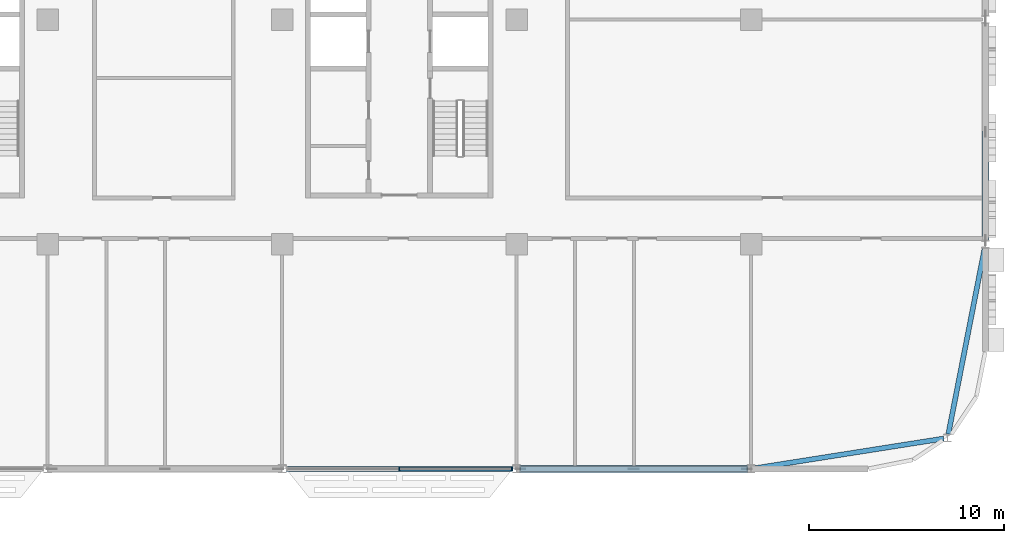
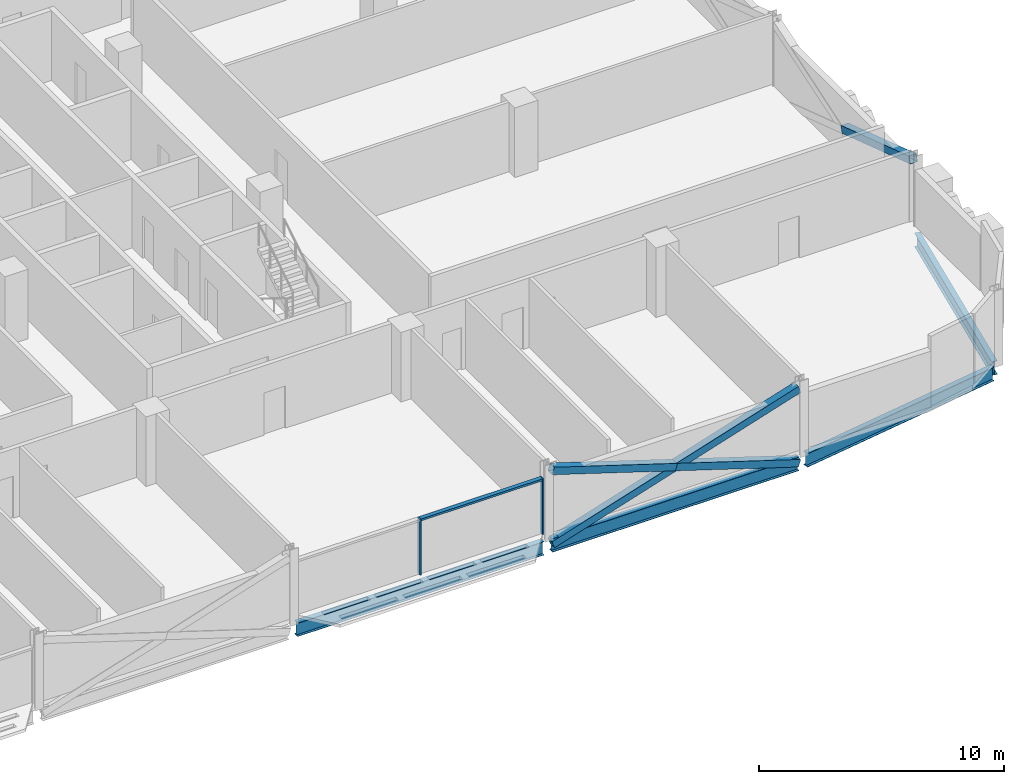
# One storey, part 9 of 30: 7 members, 4 beams, 1 element without a shape of its own.
"""IFC4 building model written with IfcOpenShell, lengths in metres."""

from ifc_helpers import new_model, si_unit, direction, frame, origin, origin_2d, place, context, subcontext, project, spatial, rectangle, hollow_rectangle, i_section, extrude, material, material_profile, profile_set, type_object, element, aggregate, save


model = new_model("IFC4")

# Units and contexts
model_context = context("Model", 3, precision=1e-05, world=origin(), true_north=direction((0.0, 1.0)))
body_context = subcontext(model_context, "Body", "Model", "MODEL_VIEW")
ifc_project = project(units=[si_unit("LENGTHUNIT", "METRE"), si_unit("AREAUNIT", "SQUARE_METRE"), si_unit("VOLUMEUNIT", "CUBIC_METRE"), si_unit("PLANEANGLEUNIT", "RADIAN"), si_unit("MASSUNIT", "GRAM", prefix="KILO")], contexts=[model_context])

# Site, building, storey
site_placement = place(None, origin())
site = spatial("IfcSite", under=ifc_project, at=site_placement, CompositionType="ELEMENT")
building_placement = place(site_placement, origin())
building = spatial("IfcBuilding", under=site, at=building_placement, Name="Mahtab Terrace Research Tower", CompositionType="ELEMENT")
storey_placement = place(building_placement, frame((0.0, 0.0, 212.89990234375)))
storey = spatial("IfcBuildingStorey", under=building, at=storey_placement, Name="L51", CompositionType="ELEMENT", Elevation=212.89990234375)

# Members
ifc_material_1 = material(Name="Steel ASTM A500 Gr C", Category="steel")
ifc_material_profile_1 = material_profile(ifc_material_1, hollow_rectangle(XDim=0.355712890625, YDim=0.355712890625, WallThickness=0.015869140625, at=origin_2d()), Name="HSS14X14X5/8")
ifc_profile_set_1 = profile_set([ifc_material_profile_1], Name="Steel ASTM A500 Gr C")
member_type_1 = type_object("IfcMemberType", Name="HSS 14x14x5/8 brace XB141458", PredefinedType="BRACE", material=ifc_profile_set_1)
member_1_placement = place(storey_placement, frame((30.20068359375, -23.0, -0.615478515625), z_axis=(0.953343380425, 0.0, 0.301888057067), x_axis=(0.0, 1.0, 0.0)))
element("IfcMember", 1, at=member_1_placement, inside=storey, type_object=member_type_1, Name="Exoskeleton brace L51 19 a", PredefinedType="BRACE", context=body_context, shape_type="SweptSolid", body=[
    extrude(hollow_rectangle(XDim=0.355712890625, YDim=0.355712890625, WallThickness=0.015869140625, at=origin_2d()), origin(), (0.0, 0.0, 1.0), 12.166259765625),
])
for number, where, z_axis, x_axis, name in (
    (2, (41.79931640625, -23.0, -0.615478515625), (-0.953343380425, 0.0, 0.301888057067), (0.0, -1.0, 0.0), "Exoskeleton brace L51 19 b1"),
    (3, (36.0, -23.0, 1.220947265625), (-0.953343380425, 0.0, 0.301888057067), (0.0, -1.0, 0.0), "Exoskeleton brace L51 19 b2"),
):
    element("IfcMember", number, at=place(storey_placement, frame(where, z_axis=z_axis, x_axis=x_axis)), inside=storey, type_object=member_type_1, Name=name, PredefinedType="BRACE", context=body_context, shape_type="SweptSolid", body=[
        extrude(hollow_rectangle(XDim=0.355712890625, YDim=0.355712890625, WallThickness=0.015869140625, at=origin_2d()), origin(), (0.0, 0.0, 1.0), 6.083251953125),
    ])
member_2_placement = place(storey_placement, frame((54.0, -5.75, 1.220947265625), z_axis=(0.0, -0.949498689047, 0.313770998496), x_axis=(1.0, 0.0, 0.0)))
element("IfcMember", 4, at=member_2_placement, inside=storey, type_object=member_type_1, Name="Exoskeleton brace L51 22 b2", PredefinedType="BRACE", context=body_context, shape_type="SweptSolid", body=[
    extrude(hollow_rectangle(XDim=0.355712890625, YDim=0.355712890625, WallThickness=0.015869140625, at=origin_2d()), origin(), (0.0, 0.0, 1.0), 5.845703125),
])

# Curtain wall, members
ifc_material_2 = material(Name="Laboratory ribbon curtain wall")
curtain_wall_type = type_object("IfcCurtainWallType", Name="Laboratory ribbon curtain wall", PredefinedType="NOTDEFINED", material=ifc_material_2)
curtain_wall_placement = place(storey_placement, origin())
curtain_wall = element("IfcCurtainWall", 5, at=curtain_wall_placement, inside=storey, type_object=curtain_wall_type, Name="EN.L51.13.28", PredefinedType="NOTDEFINED")
ifc_material_3 = material(Name="Natural anodised aluminium", Category="aluminium")
ifc_material_profile_2 = material_profile(ifc_material_3, rectangle(XDim=0.199951171875, YDim=0.06494140625, at=origin_2d()), Name="MULLION 65x200")
ifc_profile_set_2 = profile_set([ifc_material_profile_2], Name="Natural anodised aluminium")
member_type_2 = type_object("IfcMemberType", Name="Laboratory ribbon curtain wall mullion", PredefinedType="MULLION", material=ifc_profile_set_2)
member_3_placement = place(storey_placement, frame((24.0, -23.0, 0.0), z_axis=(0.0, 0.0, 1.0), x_axis=(0.0, 1.0, 0.0)))
member_3 = element("IfcMember", 6, at=member_3_placement, type_object=member_type_2, Name="CWL-6 mullion 2", PredefinedType="MULLION", context=body_context, shape_type="SweptSolid", body=[
    extrude(rectangle(XDim=0.199951171875, YDim=0.06494140625, at=origin_2d()), origin(), (0.0, 0.0, 1.0), 2.781982421875),
])
member_4_placement = place(storey_placement, frame((29.767578125, -23.0, 0.0), z_axis=(0.0, 0.0, 1.0), x_axis=(0.0, 1.0, 0.0)))
member_4 = element("IfcMember", 7, at=member_4_placement, type_object=member_type_2, Name="CWL-6 mullion 3", PredefinedType="MULLION", context=body_context, shape_type="SweptSolid", body=[
    extrude(rectangle(XDim=0.199951171875, YDim=0.06494140625, at=origin_2d()), origin(), (0.0, 0.0, 1.0), 2.781982421875),
])
ifc_material_profile_3 = material_profile(ifc_material_3, rectangle(XDim=0.199951171875, YDim=0.10009765625, at=origin_2d()), Name="TRANSOM 100x200")
ifc_profile_set_3 = profile_set([ifc_material_profile_3], Name="Natural anodised aluminium")
member_type_3 = type_object("IfcMemberType", Name="Laboratory ribbon curtain wall transom", PredefinedType="USERDEFINED", material=ifc_profile_set_3)
member_5_placement = place(storey_placement, frame((24.032470703125, -23.0, 2.73193359375), z_axis=(1.0, 0.0, 0.0), x_axis=(0.0, 1.0, 0.0)))
member_5 = element("IfcMember", 8, at=member_5_placement, type_object=member_type_3, Name="CWL-6 transom 2", ObjectType="TRANSOM", PredefinedType="USERDEFINED", context=body_context, shape_type="SweptSolid", body=[
    extrude(rectangle(XDim=0.199951171875, YDim=0.10009765625, at=origin_2d()), origin(), (0.0, 0.0, 1.0), 5.70263671875),
])
aggregate(curtain_wall, [member_3, member_4, member_5])

# Beams
ifc_material_4 = material(Name="Steel ASTM A992 Gr 50", Category="steel")
ifc_material_profile_4 = material_profile(ifc_material_4, i_section(OverallWidth=0.25390625, OverallDepth=0.67822265625, WebThickness=0.01171875, FlangeThickness=0.016357421875, at=origin_2d()), Name="W27X84")
ifc_profile_set_4 = profile_set([ifc_material_profile_4], Name="Steel ASTM A992 Gr 50")
beam_type = type_object("IfcBeamType", Name="W27x84 beam BS2784", PredefinedType="BEAM", material=ifc_profile_set_4)
for number, where, z_axis, x_axis, name in (
    (9, (18.20068359375, -23.0, -0.678955078125), (1.0, 0.0, 0.0), (0.0, 1.0, 0.0), "Spandrel beam L51 18"),
    (10, (30.20068359375, -23.0, -0.678955078125), (1.0, 0.0, 0.0), (0.0, 1.0, 0.0), "Spandrel beam L51 19"),
):
    element("IfcBeam", number, at=place(storey_placement, frame(where, z_axis=z_axis, x_axis=x_axis)), inside=storey, type_object=beam_type, Name=name, PredefinedType="BEAM", context=body_context, shape_type="SweptSolid", body=[
        extrude(i_section(OverallWidth=0.25390625, OverallDepth=0.67822265625, WebThickness=0.01171875, FlangeThickness=0.016357421875, at=origin_2d()), origin(), (0.0, 0.0, 1.0), 11.5986328125),
    ])
beam_1_placement = place(storey_placement, frame((42.20068359375, -22.968505859375, -0.678955078125), z_axis=(0.987831689273, 0.155526697604, 0.0), x_axis=(-0.155526697604, 0.987831689273, 0.0)))
element("IfcBeam", 11, at=beam_1_placement, inside=storey, type_object=beam_type, Name="Spandrel beam L51 20", PredefinedType="BEAM", context=body_context, shape_type="SweptSolid", body=[
    extrude(i_section(OverallWidth=0.25390625, OverallDepth=0.67822265625, WebThickness=0.01171875, FlangeThickness=0.016357421875, at=origin_2d()), origin(), (0.0, 0.0, 1.0), 9.779541015625),
])
beam_2_placement = place(storey_placement, frame((52.10107421875, -21.216552734375, -0.678955078125), z_axis=(0.191795474732, 0.981434916779, 0.0), x_axis=(-0.981434916779, 0.191795474732, 0.0)))
element("IfcBeam", 12, at=beam_2_placement, inside=storey, type_object=beam_type, Name="Spandrel beam L51 21", PredefinedType="BEAM", context=body_context, shape_type="SweptSolid", body=[
    extrude(i_section(OverallWidth=0.25390625, OverallDepth=0.67822265625, WebThickness=0.01171875, FlangeThickness=0.016357421875, at=origin_2d()), origin(), (0.0, 0.0, 1.0), 9.697021484375),
])

save(model, "model.ifc")
